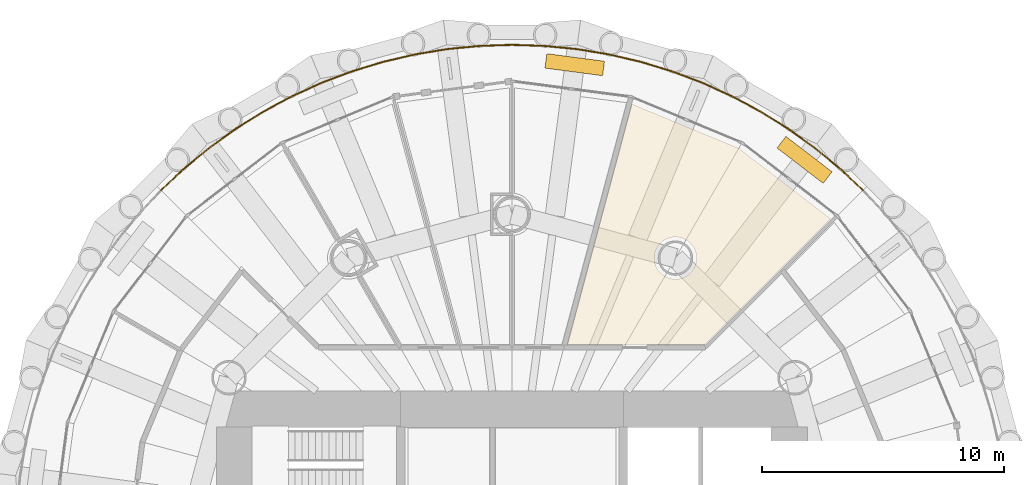
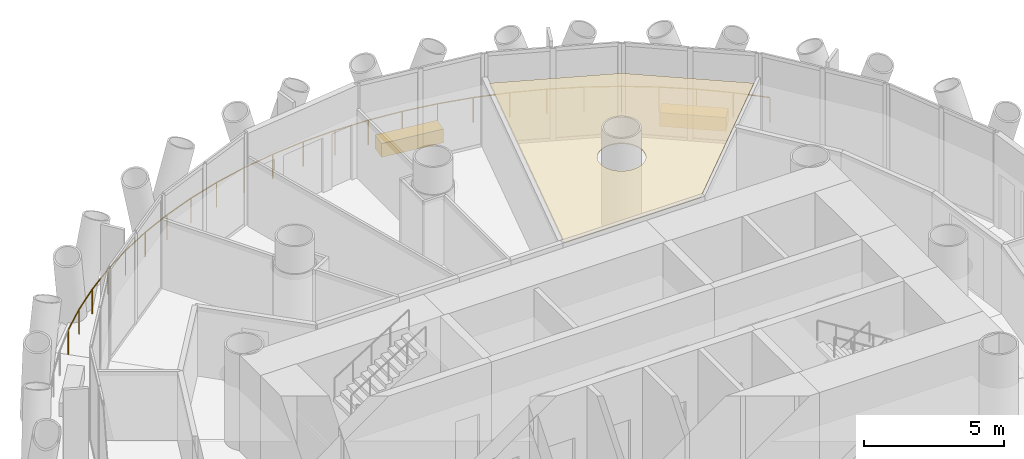
# One storey, part 16 of 16: 3 coverings, 1 railing.
"""IFC4 building model written with IfcOpenShell, lengths in metres."""

from ifc_helpers import new_model, si_unit, direction, frame, origin, origin_2d, place, context, subcontext, project, spatial, polyline, rectangle, circle, outline, extrude, material, layer, layer_set, type_object, element, save


model = new_model("IFC4")

# Units and contexts
model_context = context("Model", 3, precision=1e-05, world=origin(), true_north=direction((0.0, 1.0)))
body_context = subcontext(model_context, "Body", "Model", "MODEL_VIEW")
ifc_project = project(units=[si_unit("LENGTHUNIT", "METRE"), si_unit("AREAUNIT", "SQUARE_METRE"), si_unit("VOLUMEUNIT", "CUBIC_METRE"), si_unit("PLANEANGLEUNIT", "RADIAN"), si_unit("MASSUNIT", "GRAM", prefix="KILO")], contexts=[model_context])

# Site, building, storey
site_placement = place(None, origin())
site = spatial("IfcSite", under=ifc_project, at=site_placement, CompositionType="ELEMENT")
building_placement = place(site_placement, origin())
building = spatial("IfcBuilding", under=site, at=building_placement, Name="Qaws Media Tower", CompositionType="ELEMENT")
storey_placement = place(building_placement, frame((0.0, 0.0, 269.60009765625)))
storey = spatial("IfcBuildingStorey", under=building, at=storey_placement, Name="L62", CompositionType="ELEMENT", Elevation=269.60009765625)

# Covering
ifc_material_1 = material(Name="40 perforated acoustic panels with mineral wool backing, suspended", Category="mineral fibre")
ifc_layer_1 = layer(ifc_material_1, 0.0400390625)
ifc_layer_set_1 = layer_set([ifc_layer_1], Name="Acoustic panel ceiling 40")
covering_type_1 = type_object("IfcCoveringType", Name="Acoustic panel ceiling 40", PredefinedType="CEILING", material=ifc_layer_set_1)
covering_placement = place(storey_placement, frame((0.0, 0.0, 2.849853515625)))
element("IfcCovering", 1, at=covering_placement, inside=storey, type_object=covering_type_1, Name="CL3 ceiling L62-03 Board meeting room", PredefinedType="CEILING", context=body_context, shape_type="SweptSolid", body=[
    extrude(outline(polyline([(69.36767578125, 66.22509765625), (73.15771484375, 63.31689453125), (67.953369140625, 58.112548828125), (62.290283203125, 58.112548828125), (64.953857421875, 68.053466796875), (69.36767578125, 66.22509765625)]), holes=[polyline([(67.5546875, 61.35791015625), (67.59130859375, 61.4658203125), (67.613525390625, 61.57763671875), (67.62109375, 61.69140625), (67.613525390625, 61.804931640625), (67.59130859375, 61.916748046875), (67.5546875, 62.024658203125), (67.50439453125, 62.126708984375), (67.44091796875, 62.2216796875), (67.365966796875, 62.30712890625), (67.2802734375, 62.38232421875), (67.185546875, 62.44580078125), (67.083251953125, 62.49609375), (66.975341796875, 62.53271484375), (66.86376953125, 62.554931640625), (66.75, 62.562255859375), (66.63623046875, 62.554931640625), (66.524658203125, 62.53271484375), (66.416748046875, 62.49609375), (66.314453125, 62.44580078125), (66.2197265625, 62.38232421875), (66.134033203125, 62.30712890625), (66.05908203125, 62.2216796875), (65.99560546875, 62.126708984375), (65.9453125, 62.024658203125), (65.90869140625, 61.916748046875), (65.886474609375, 61.804931640625), (65.87890625, 61.69140625), (65.886474609375, 61.57763671875), (65.90869140625, 61.4658203125), (65.9453125, 61.35791015625), (65.99560546875, 61.255859375), (66.05908203125, 61.1611328125), (66.134033203125, 61.075439453125), (66.2197265625, 61.000244140625), (66.314453125, 60.93701171875), (66.416748046875, 60.88671875), (66.524658203125, 60.85009765625), (66.63623046875, 60.827880859375), (66.75, 60.8203125), (66.86376953125, 60.827880859375), (66.975341796875, 60.85009765625), (67.083251953125, 60.88671875), (67.185546875, 60.93701171875), (67.2802734375, 61.000244140625), (67.365966796875, 61.075439453125), (67.44091796875, 61.1611328125), (67.50439453125, 61.255859375), (67.5546875, 61.35791015625)])]), origin(), (0.0, 0.0, 1.0), 0.0400390625),
])

# Railing
ifc_material_2 = material(Name="Stainless steel and glass guard", Category="steel")
railing_type = type_object("IfcRailingType", Name="Balcony guard 1100", PredefinedType="GUARDRAIL", material=ifc_material_2)
railing_placement = place(storey_placement, frame((74.49560546875, 64.49560546875, 0.0)))
element("IfcRailing", 2, at=railing_placement, inside=storey, type_object=railing_type, Name="GR1 balcony guard L62-1", PredefinedType="GUARDRAIL", context=body_context, shape_type="SweptSolid", body=[
    extrude(circle(Radius=0.02392578125, at=origin_2d()), frame((0.0, 0.0, 1.076171875), z_axis=(-0.729843627295, 0.683614130703, 0.0), x_axis=(-0.683614130703, -0.729843627295, 0.0)), (0.0, 0.0, 1.0), 1.34130859375),
    extrude(circle(Radius=0.02392578125, at=origin_2d()), frame((-0.97900390625, 0.9169921875, 1.076171875), z_axis=(-0.773032183029, 0.634366805564, 0.0), x_axis=(-0.634366805564, -0.773032183029, 0.0)), (0.0, 0.0, 1.0), 1.341552734375),
    extrude(circle(Radius=0.02392578125, at=origin_2d()), frame((-2.01611328125, 1.76806640625, 1.076171875), z_axis=(-0.812785530417, 0.582563027959, 0.0), x_axis=(-0.582563027959, -0.812785530417, 0.0)), (0.0, 0.0, 1.0), 1.341552734375),
    extrude(circle(Radius=0.02392578125, at=origin_2d()), frame((-3.1064453125, 2.549560546875, 1.076171875), z_axis=(-0.849243416954, 0.528001532915, 0.0), x_axis=(-0.528001532915, -0.849243416954, 0.0)), (0.0, 0.0, 1.0), 1.34130859375),
    extrude(circle(Radius=0.02392578125, at=origin_2d()), frame((-4.24560546875, 3.2578125, 1.076171875), z_axis=(-0.881863833412, 0.471504166812, 0.0), x_axis=(-0.471504166812, -0.881863833412, 0.0)), (0.0, 0.0, 1.0), 1.341552734375),
    extrude(circle(Radius=0.02392578125, at=origin_2d()), frame((-5.4287109375, 3.890380859375, 1.076171875), z_axis=(-0.910914173392, 0.412595890326, 0.0), x_axis=(-0.412595890326, -0.910914173392, 0.0)), (0.0, 0.0, 1.0), 1.34130859375),
    extrude(circle(Radius=0.02392578125, at=origin_2d()), frame((-6.650634765625, 4.44384765625, 1.076171875), z_axis=(-0.9358646247, 0.352359765348, 0.0), x_axis=(-0.352359765348, -0.9358646247, 0.0)), (0.0, 0.0, 1.0), 1.34130859375),
    extrude(circle(Radius=0.02392578125, at=origin_2d()), frame((-7.906005859375, 4.91650390625, 1.076171875), z_axis=(-0.956940177108, 0.290285200169, 0.0), x_axis=(-0.290285200169, -0.956940177108, 0.0)), (0.0, 0.0, 1.0), 1.341552734375),
    extrude(circle(Radius=0.02392578125, at=origin_2d()), frame((-9.189697265625, 5.305908203125, 1.076171875), z_axis=(-0.97387341283, 0.227091558149, 0.0), x_axis=(-0.227091558149, -0.97387341283, 0.0)), (0.0, 0.0, 1.0), 1.341796875),
    extrude(circle(Radius=0.02392578125, at=origin_2d()), frame((-10.496337890625, 5.610595703125, 1.076171875), z_axis=(-0.986643645727, 0.162893573681, 0.0), x_axis=(-0.162893573681, -0.986643645727, 0.0)), (0.0, 0.0, 1.0), 1.34130859375),
    extrude(circle(Radius=0.02392578125, at=origin_2d()), frame((-11.81982421875, 5.8291015625, 1.076171875), z_axis=(-0.995194503808, 0.097917820601, 0.0), x_axis=(-0.097917820601, -0.995194503808, 0.0)), (0.0, 0.0, 1.0), 1.34130859375),
    extrude(circle(Radius=0.02392578125, at=origin_2d()), frame((-13.15478515625, 5.96044921875, 1.076171875), z_axis=(-0.999463333803, 0.03275735617, 0.0), x_axis=(-0.03275735617, -0.999463333803, 0.0)), (0.0, 0.0, 1.0), 1.341552734375),
    extrude(circle(Radius=0.02392578125, at=origin_2d()), frame((-14.49560546875, 6.00439453125, 1.076171875), z_axis=(-0.999463333803, -0.03275735617, 0.0), x_axis=(0.03275735617, -0.999463333803, 0.0)), (0.0, 0.0, 1.0), 1.341552734375),
    extrude(circle(Radius=0.02392578125, at=origin_2d()), frame((-15.83642578125, 5.96044921875, 1.076171875), z_axis=(-0.995194503808, -0.097917820601, 0.0), x_axis=(0.097917820601, -0.995194503808, 0.0)), (0.0, 0.0, 1.0), 1.34130859375),
    extrude(circle(Radius=0.02392578125, at=origin_2d()), frame((-17.17138671875, 5.8291015625, 1.076171875), z_axis=(-0.986643645727, -0.162893573681, 0.0), x_axis=(0.162893573681, -0.986643645727, 0.0)), (0.0, 0.0, 1.0), 1.34130859375),
    extrude(circle(Radius=0.02392578125, at=origin_2d()), frame((-18.494873046875, 5.610595703125, 1.076171875), z_axis=(-0.97387341283, -0.227091558149, 0.0), x_axis=(0.227091558149, -0.97387341283, 0.0)), (0.0, 0.0, 1.0), 1.341796875),
    extrude(circle(Radius=0.02392578125, at=origin_2d()), frame((-19.801513671875, 5.305908203125, 1.076171875), z_axis=(-0.956940177108, -0.290285200169, 0.0), x_axis=(0.290285200169, -0.956940177108, 0.0)), (0.0, 0.0, 1.0), 1.341552734375),
    extrude(circle(Radius=0.02392578125, at=origin_2d()), frame((-21.085205078125, 4.91650390625, 1.076171875), z_axis=(-0.9358646247, -0.352359765348, 0.0), x_axis=(0.352359765348, -0.9358646247, 0.0)), (0.0, 0.0, 1.0), 1.34130859375),
    extrude(circle(Radius=0.02392578125, at=origin_2d()), frame((-22.340576171875, 4.44384765625, 1.076171875), z_axis=(-0.910914173392, -0.412595890326, 0.0), x_axis=(0.412595890326, -0.910914173392, 0.0)), (0.0, 0.0, 1.0), 1.34130859375),
    extrude(circle(Radius=0.02392578125, at=origin_2d()), frame((-23.5625, 3.890380859375, 1.076171875), z_axis=(-0.881863833412, -0.471504166812, 0.0), x_axis=(0.471504166812, -0.881863833412, 0.0)), (0.0, 0.0, 1.0), 1.341552734375),
    extrude(circle(Radius=0.02392578125, at=origin_2d()), frame((-24.74560546875, 3.2578125, 1.076171875), z_axis=(-0.849243416954, -0.528001532915, 0.0), x_axis=(0.528001532915, -0.849243416954, 0.0)), (0.0, 0.0, 1.0), 1.34130859375),
    extrude(circle(Radius=0.02392578125, at=origin_2d()), frame((-25.884765625, 2.549560546875, 1.076171875), z_axis=(-0.812785530417, -0.582563027959, 0.0), x_axis=(0.582563027959, -0.812785530417, 0.0)), (0.0, 0.0, 1.0), 1.341552734375),
    extrude(circle(Radius=0.02392578125, at=origin_2d()), frame((-26.97509765625, 1.76806640625, 1.076171875), z_axis=(-0.773032183029, -0.634366805564, 0.0), x_axis=(0.634366805564, -0.773032183029, 0.0)), (0.0, 0.0, 1.0), 1.341552734375),
    extrude(circle(Radius=0.02392578125, at=origin_2d()), frame((-28.01220703125, 0.9169921875, 1.076171875), z_axis=(-0.729843627295, -0.683614130703, 0.0), x_axis=(0.683614130703, -0.729843627295, 0.0)), (0.0, 0.0, 1.0), 1.34130859375),
    extrude(circle(Radius=0.02099609375, at=origin_2d()), origin(), (0.0, 0.0, 1.0), 1.052001953125),
    extrude(circle(Radius=0.02099609375, at=origin_2d()), frame((-0.97900390625, 0.9169921875, 0.0)), (0.0, 0.0, 1.0), 1.052001953125),
    extrude(circle(Radius=0.02099609375, at=origin_2d()), frame((-2.01611328125, 1.76806640625, 0.0)), (0.0, 0.0, 1.0), 1.052001953125),
    extrude(circle(Radius=0.02099609375, at=origin_2d()), frame((-3.1064453125, 2.549560546875, 0.0)), (0.0, 0.0, 1.0), 1.052001953125),
    extrude(circle(Radius=0.02099609375, at=origin_2d()), frame((-4.24560546875, 3.2578125, 0.0)), (0.0, 0.0, 1.0), 1.052001953125),
    extrude(circle(Radius=0.02099609375, at=origin_2d()), frame((-5.4287109375, 3.890380859375, 0.0)), (0.0, 0.0, 1.0), 1.052001953125),
    extrude(circle(Radius=0.02099609375, at=origin_2d()), frame((-6.650634765625, 4.44384765625, 0.0)), (0.0, 0.0, 1.0), 1.052001953125),
    extrude(circle(Radius=0.02099609375, at=origin_2d()), frame((-7.906005859375, 4.91650390625, 0.0)), (0.0, 0.0, 1.0), 1.052001953125),
    extrude(circle(Radius=0.02099609375, at=origin_2d()), frame((-9.189697265625, 5.305908203125, 0.0)), (0.0, 0.0, 1.0), 1.052001953125),
    extrude(circle(Radius=0.02099609375, at=origin_2d()), frame((-10.496337890625, 5.610595703125, 0.0)), (0.0, 0.0, 1.0), 1.052001953125),
    extrude(circle(Radius=0.02099609375, at=origin_2d()), frame((-11.81982421875, 5.8291015625, 0.0)), (0.0, 0.0, 1.0), 1.052001953125),
    extrude(circle(Radius=0.02099609375, at=origin_2d()), frame((-13.15478515625, 5.96044921875, 0.0)), (0.0, 0.0, 1.0), 1.052001953125),
    extrude(circle(Radius=0.02099609375, at=origin_2d()), frame((-14.49560546875, 6.00439453125, 0.0)), (0.0, 0.0, 1.0), 1.052001953125),
    extrude(circle(Radius=0.02099609375, at=origin_2d()), frame((-15.83642578125, 5.96044921875, 0.0)), (0.0, 0.0, 1.0), 1.052001953125),
    extrude(circle(Radius=0.02099609375, at=origin_2d()), frame((-17.17138671875, 5.8291015625, 0.0)), (0.0, 0.0, 1.0), 1.052001953125),
    extrude(circle(Radius=0.02099609375, at=origin_2d()), frame((-18.494873046875, 5.610595703125, 0.0)), (0.0, 0.0, 1.0), 1.052001953125),
    extrude(circle(Radius=0.02099609375, at=origin_2d()), frame((-19.801513671875, 5.305908203125, 0.0)), (0.0, 0.0, 1.0), 1.052001953125),
    extrude(circle(Radius=0.02099609375, at=origin_2d()), frame((-21.085205078125, 4.91650390625, 0.0)), (0.0, 0.0, 1.0), 1.052001953125),
    extrude(circle(Radius=0.02099609375, at=origin_2d()), frame((-22.340576171875, 4.44384765625, 0.0)), (0.0, 0.0, 1.0), 1.052001953125),
    extrude(circle(Radius=0.02099609375, at=origin_2d()), frame((-23.5625, 3.890380859375, 0.0)), (0.0, 0.0, 1.0), 1.052001953125),
    extrude(circle(Radius=0.02099609375, at=origin_2d()), frame((-24.74560546875, 3.2578125, 0.0)), (0.0, 0.0, 1.0), 1.052001953125),
    extrude(circle(Radius=0.02099609375, at=origin_2d()), frame((-25.884765625, 2.549560546875, 0.0)), (0.0, 0.0, 1.0), 1.052001953125),
    extrude(circle(Radius=0.02099609375, at=origin_2d()), frame((-26.97509765625, 1.76806640625, 0.0)), (0.0, 0.0, 1.0), 1.052001953125),
    extrude(circle(Radius=0.02099609375, at=origin_2d()), frame((-28.01220703125, 0.9169921875, 0.0)), (0.0, 0.0, 1.0), 1.052001953125),
    extrude(circle(Radius=0.02099609375, at=origin_2d()), frame((-28.9912109375, 0.0, 0.0)), (0.0, 0.0, 1.0), 1.052001953125),
])

# Coverings
ifc_material_3 = material(Name="Precast concrete planter with trailing planting", Category="concrete")
ifc_layer_2 = layer(ifc_material_3, 0.60009765625)
ifc_layer_set_2 = layer_set([ifc_layer_2], Name="Planter 2400x600")
covering_type_2 = type_object("IfcCoveringType", Name="Planter 2400x600", PredefinedType="USERDEFINED", material=ifc_layer_set_2)
for number, where, z_axis, x_axis, name in (
    (3, (72.083984375, 65.748046875, -0.000244140625), (0.0, 0.0, 1.0), (-0.793353340291, 0.608761429009, 0.0), "PL1 balcony planter L62-02"),
    (4, (62.591064453125, 69.68017578125, -0.000244140625), (0.0, 0.0, 1.0), (-0.991444861374, 0.13052619222, 0.0), "PL1 balcony planter L62-03"),
):
    element("IfcCovering", number, at=place(storey_placement, frame(where, z_axis=z_axis, x_axis=x_axis)), inside=storey, type_object=covering_type_2, Name=name, ObjectType="PLANTER", PredefinedType="USERDEFINED", context=body_context, shape_type="SweptSolid", body=[
        extrude(rectangle(XDim=2.39990234375, YDim=0.60009765625, at=origin_2d()), origin(), (0.0, 0.0, 1.0), 0.60009765625),
    ])

save(model, "model.ifc")
